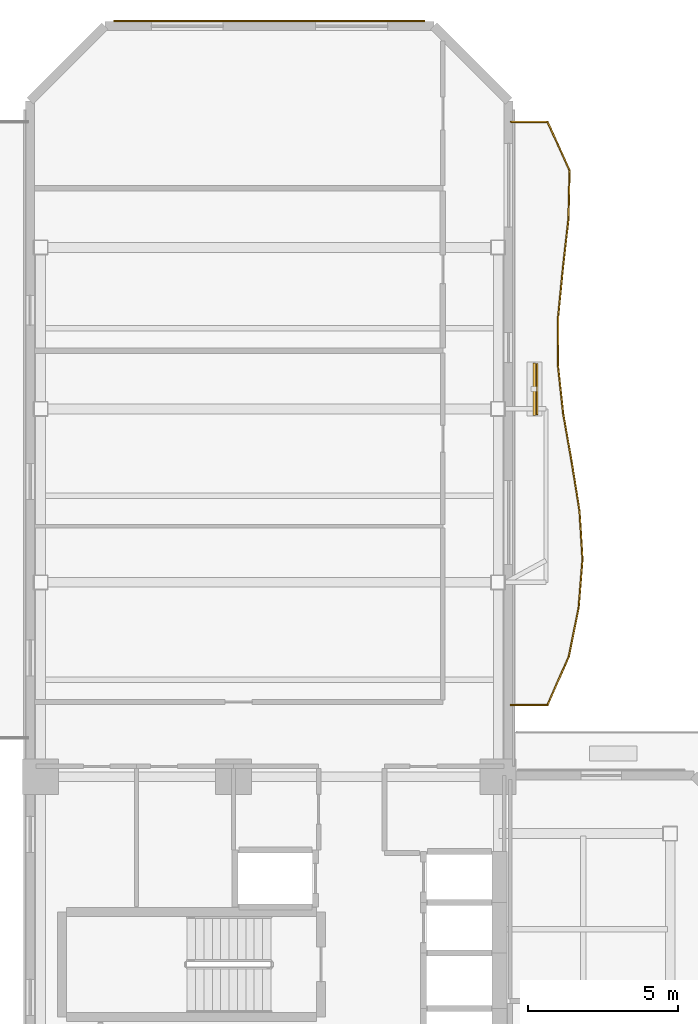
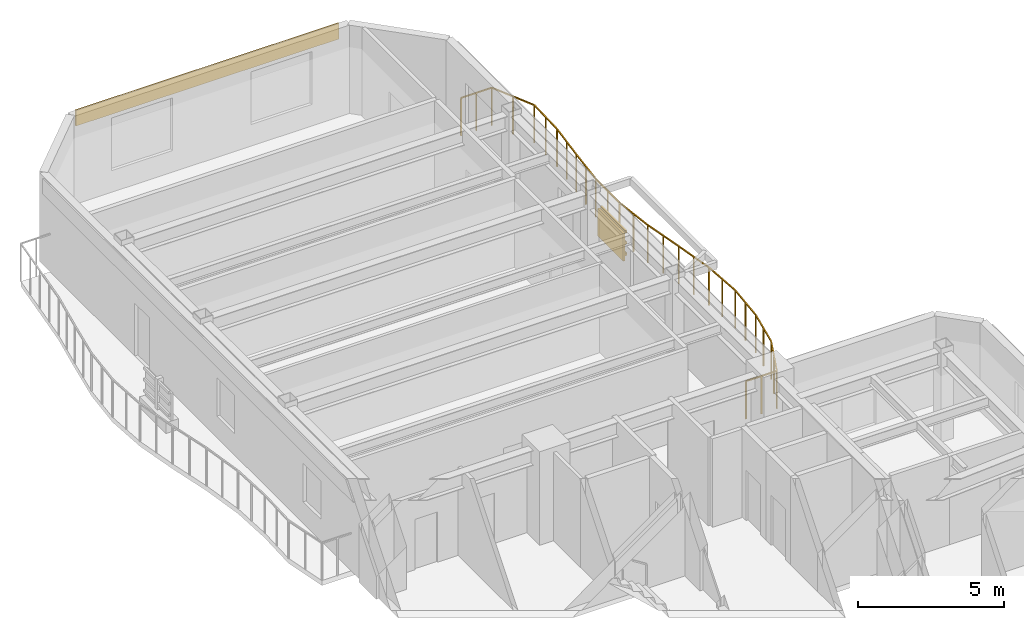
# One storey, part 12 of 12: 4 shading devices, 1 covering, 1 railing.
"""IFC4 building model written with IfcOpenShell, lengths in metres."""

from ifc_helpers import new_model, si_unit, direction, frame, origin, origin_2d, place, context, subcontext, project, spatial, rectangle, extrude, material, layer, layer_set, material_profile, profile_set, type_object, element, save


model = new_model("IFC4")

# Units and contexts
model_context = context("Model", 3, precision=1e-05, world=origin(), true_north=direction((0.0, 1.0)))
body_context = subcontext(model_context, "Body", "Model", "MODEL_VIEW")
ifc_project = project(units=[si_unit("LENGTHUNIT", "METRE"), si_unit("AREAUNIT", "SQUARE_METRE"), si_unit("VOLUMEUNIT", "CUBIC_METRE"), si_unit("PLANEANGLEUNIT", "RADIAN"), si_unit("MASSUNIT", "GRAM", prefix="KILO")], contexts=[model_context])

# Site, building, storey
site_placement = place(None, origin())
site = spatial("IfcSite", under=ifc_project, at=site_placement, CompositionType="ELEMENT")
building_placement = place(site_placement, origin())
building = spatial("IfcBuilding", under=site, at=building_placement, Name="Mawjaban Terraces University", CompositionType="ELEMENT")
storey_placement = place(building_placement, frame((0.0, 0.0, 150.199951171875)))
storey = spatial("IfcBuildingStorey", under=building, at=storey_placement, Name="L36", CompositionType="ELEMENT", Elevation=150.199951171875)

# Railing
ifc_material_1 = material(Name="Galvanised powder-coated steel S355", Category="steel")
railing_type = type_object("IfcRailingType", Name="BalconyBalustrade_1600", PredefinedType="BALUSTRADE", material=ifc_material_1)
railing_placement = place(storey_placement, frame((38.080078125, 25.89990234375, 0.0)))
element("IfcRailing", 1, at=railing_placement, inside=storey, type_object=railing_type, Name="L36 Balcony Guardrail inner_east", PredefinedType="BALUSTRADE", context=body_context, shape_type="SweptSolid", body=[
    extrude(rectangle(XDim=0.048095703125, YDim=0.048095703125, at=origin_2d()), frame((0.0, 0.0, 1.576171875), z_axis=(1.0, 0.0, 0.0), x_axis=(0.0, 1.0, 0.0)), (0.0, 0.0, 1.0), 1.219970703125),
    extrude(rectangle(XDim=0.048095703125, YDim=0.048095703125, at=origin_2d()), frame((1.219970703125, 0.0, 1.576171875), z_axis=(0.40220382361, 0.915550153882, 0.0), x_axis=(-0.915550153882, 0.40220382361, 0.0)), (0.0, 0.0, 1.0), 1.77490234375),
    extrude(rectangle(XDim=0.048095703125, YDim=0.048095703125, at=origin_2d()), frame((1.933837890625, 1.625, 1.576171875), z_axis=(0.197928330605, 0.980216494426, 0.0), x_axis=(-0.980216494426, 0.197928330605, 0.0)), (0.0, 0.0, 1.0), 1.65771484375),
    extrude(rectangle(XDim=0.048095703125, YDim=0.048095703125, at=origin_2d()), frame((2.261962890625, 3.25, 1.576171875), z_axis=(0.078483126756, 0.996915442159, 0.0), x_axis=(-0.996915442159, 0.078483126756, 0.0)), (0.0, 0.0, 1.0), 1.630126953125),
    extrude(rectangle(XDim=0.048095703125, YDim=0.048095703125, at=origin_2d()), frame((2.389892578125, 4.875, 1.576171875), z_axis=(-0.061332633593, 0.998117381903, 0.0), x_axis=(-0.998117381903, -0.061332633593, 0.0)), (0.0, 0.0, 1.0), 1.628173828125),
    extrude(rectangle(XDim=0.048095703125, YDim=0.048095703125, at=origin_2d()), frame((2.2900390625, 6.5, 1.576171875), z_axis=(-0.158719409812, 0.987323730571, 0.0), x_axis=(-0.987323730571, -0.158719409812, 0.0)), (0.0, 0.0, 1.0), 1.645751953125),
    extrude(rectangle(XDim=0.048095703125, YDim=0.048095703125, at=origin_2d()), frame((2.02880859375, 8.125, 1.576171875), z_axis=(-0.17327040175, 0.984874290393, 0.0), x_axis=(-0.984874290393, -0.17327040175, 0.0)), (0.0, 0.0, 1.0), 1.64990234375),
    extrude(rectangle(XDim=0.048095703125, YDim=0.048095703125, at=origin_2d()), frame((1.742919921875, 9.75, 1.576171875), z_axis=(-0.107102732402, 0.99424795937, 0.0), x_axis=(-0.99424795937, -0.107102732402, 0.0)), (0.0, 0.0, 1.0), 1.634521484375),
    extrude(rectangle(XDim=0.048095703125, YDim=0.048095703125, at=origin_2d()), frame((1.56787109375, 11.375, 1.576171875), z_axis=(0.006159738908, 0.999981028628, 0.0), x_axis=(-0.999981028628, 0.006159738908, 0.0)), (0.0, 0.0, 1.0), 1.625),
    extrude(rectangle(XDim=0.048095703125, YDim=0.048095703125, at=origin_2d()), frame((1.577880859375, 13.0, 1.576171875), z_axis=(0.097342006418, 0.995250990347, 0.0), x_axis=(-0.995250990347, 0.097342006418, 0.0)), (0.0, 0.0, 1.0), 1.6328125),
    extrude(rectangle(XDim=0.048095703125, YDim=0.048095703125, at=origin_2d()), frame((1.73681640625, 14.625, 1.576171875), z_axis=(0.112561322723, 0.993644779902, 0.0), x_axis=(-0.993644779902, 0.112561322723, 0.0)), (0.0, 0.0, 1.0), 1.635498046875),
    extrude(rectangle(XDim=0.048095703125, YDim=0.048095703125, at=origin_2d()), frame((1.9208984375, 16.25, 1.576171875), z_axis=(0.022830586077, 0.9997393482, 0.0), x_axis=(-0.9997393482, 0.022830586077, 0.0)), (0.0, 0.0, 1.0), 1.62548828125),
    extrude(rectangle(XDim=0.048095703125, YDim=0.048095703125, at=origin_2d()), frame((1.9580078125, 17.875, 1.576171875), z_axis=(-0.413524654671, 0.910492921433, 0.0), x_axis=(-0.910492921433, -0.413524654671, 0.0)), (0.0, 0.0, 1.0), 1.78466796875),
    extrude(rectangle(XDim=0.048095703125, YDim=0.048095703125, at=origin_2d()), frame((1.219970703125, 19.5, 1.576171875), z_axis=(-1.0, 0.0, 0.0), x_axis=(0.0, -1.0, 0.0)), (0.0, 0.0, 1.0), 1.219970703125),
    extrude(rectangle(XDim=0.0419921875, YDim=0.0419921875, at=origin_2d()), origin(), (0.0, 0.0, 1.0), 1.552001953125),
    extrude(rectangle(XDim=0.0419921875, YDim=0.0419921875, at=origin_2d()), frame((0.60986328125, 0.0, 0.0)), (0.0, 0.0, 1.0), 1.552001953125),
    extrude(rectangle(XDim=0.0419921875, YDim=0.0419921875, at=origin_2d()), frame((1.219970703125, 0.0, 0.0)), (0.0, 0.0, 1.0), 1.552001953125),
    extrude(rectangle(XDim=0.0419921875, YDim=0.0419921875, at=origin_2d()), frame((1.576904296875, 0.8125, 0.0)), (0.0, 0.0, 1.0), 1.552001953125),
    extrude(rectangle(XDim=0.0419921875, YDim=0.0419921875, at=origin_2d()), frame((1.933837890625, 1.625, 0.0)), (0.0, 0.0, 1.0), 1.552001953125),
    extrude(rectangle(XDim=0.0419921875, YDim=0.0419921875, at=origin_2d()), frame((2.097900390625, 2.4375, 0.0)), (0.0, 0.0, 1.0), 1.552001953125),
    extrude(rectangle(XDim=0.0419921875, YDim=0.0419921875, at=origin_2d()), frame((2.261962890625, 3.25, 0.0)), (0.0, 0.0, 1.0), 1.552001953125),
    extrude(rectangle(XDim=0.0419921875, YDim=0.0419921875, at=origin_2d()), frame((2.325927734375, 4.0625, 0.0)), (0.0, 0.0, 1.0), 1.552001953125),
    extrude(rectangle(XDim=0.0419921875, YDim=0.0419921875, at=origin_2d()), frame((2.389892578125, 4.875, 0.0)), (0.0, 0.0, 1.0), 1.552001953125),
    extrude(rectangle(XDim=0.0419921875, YDim=0.0419921875, at=origin_2d()), frame((2.33984375, 5.6875, 0.0)), (0.0, 0.0, 1.0), 1.552001953125),
    extrude(rectangle(XDim=0.0419921875, YDim=0.0419921875, at=origin_2d()), frame((2.2900390625, 6.5, 0.0)), (0.0, 0.0, 1.0), 1.552001953125),
    extrude(rectangle(XDim=0.0419921875, YDim=0.0419921875, at=origin_2d()), frame((2.159423828125, 7.3125, 0.0)), (0.0, 0.0, 1.0), 1.552001953125),
    extrude(rectangle(XDim=0.0419921875, YDim=0.0419921875, at=origin_2d()), frame((2.02880859375, 8.125, 0.0)), (0.0, 0.0, 1.0), 1.552001953125),
    extrude(rectangle(XDim=0.0419921875, YDim=0.0419921875, at=origin_2d()), frame((1.8857421875, 8.9375, 0.0)), (0.0, 0.0, 1.0), 1.552001953125),
    extrude(rectangle(XDim=0.0419921875, YDim=0.0419921875, at=origin_2d()), frame((1.742919921875, 9.75, 0.0)), (0.0, 0.0, 1.0), 1.552001953125),
    extrude(rectangle(XDim=0.0419921875, YDim=0.0419921875, at=origin_2d()), frame((1.6552734375, 10.5625, 0.0)), (0.0, 0.0, 1.0), 1.552001953125),
    extrude(rectangle(XDim=0.0419921875, YDim=0.0419921875, at=origin_2d()), frame((1.56787109375, 11.375, 0.0)), (0.0, 0.0, 1.0), 1.552001953125),
    extrude(rectangle(XDim=0.0419921875, YDim=0.0419921875, at=origin_2d()), frame((1.57275390625, 12.1875, 0.0)), (0.0, 0.0, 1.0), 1.552001953125),
    extrude(rectangle(XDim=0.0419921875, YDim=0.0419921875, at=origin_2d()), frame((1.577880859375, 13.0, 0.0)), (0.0, 0.0, 1.0), 1.552001953125),
    extrude(rectangle(XDim=0.0419921875, YDim=0.0419921875, at=origin_2d()), frame((1.6572265625, 13.8125, 0.0)), (0.0, 0.0, 1.0), 1.552001953125),
    extrude(rectangle(XDim=0.0419921875, YDim=0.0419921875, at=origin_2d()), frame((1.73681640625, 14.625, 0.0)), (0.0, 0.0, 1.0), 1.552001953125),
    extrude(rectangle(XDim=0.0419921875, YDim=0.0419921875, at=origin_2d()), frame((1.828857421875, 15.4375, 0.0)), (0.0, 0.0, 1.0), 1.552001953125),
    extrude(rectangle(XDim=0.0419921875, YDim=0.0419921875, at=origin_2d()), frame((1.9208984375, 16.25, 0.0)), (0.0, 0.0, 1.0), 1.552001953125),
    extrude(rectangle(XDim=0.0419921875, YDim=0.0419921875, at=origin_2d()), frame((1.939453125, 17.0625, 0.0)), (0.0, 0.0, 1.0), 1.552001953125),
    extrude(rectangle(XDim=0.0419921875, YDim=0.0419921875, at=origin_2d()), frame((1.9580078125, 17.875, 0.0)), (0.0, 0.0, 1.0), 1.552001953125),
    extrude(rectangle(XDim=0.0419921875, YDim=0.0419921875, at=origin_2d()), frame((1.5888671875, 18.6875, 0.0)), (0.0, 0.0, 1.0), 1.552001953125),
    extrude(rectangle(XDim=0.0419921875, YDim=0.0419921875, at=origin_2d()), frame((1.219970703125, 19.5, 0.0)), (0.0, 0.0, 1.0), 1.552001953125),
    extrude(rectangle(XDim=0.0419921875, YDim=0.0419921875, at=origin_2d()), frame((0.60986328125, 19.5, 0.0)), (0.0, 0.0, 1.0), 1.552001953125),
    extrude(rectangle(XDim=0.0419921875, YDim=0.0419921875, at=origin_2d()), frame((0.0, 19.5, 0.0)), (0.0, 0.0, 1.0), 1.552001953125),
])

# Shading devices
ifc_material_2 = material(Name="Glazed architectural terracotta ceramic", Category="masonry")
ifc_material_profile = material_profile(ifc_material_2, rectangle(XDim=0.06494140625, YDim=0.110107421875, at=origin_2d()), Name="TBAG110X65")
ifc_profile_set = profile_set([ifc_material_profile], Name="Glazed architectural terracotta ceramic")
shading_device_type_1 = type_object("IfcShadingDeviceType", Name="TerracottaBaguette_110x65", PredefinedType="USERDEFINED", material=ifc_profile_set)
for number, where, z_axis, x_axis, name in (
    (2, (38.947998046875, 35.612060546875, 0.679931640625), (0.0, 1.0, 0.0), (-1.0, 0.0, 0.0), "L36 Horizontal Terracotta Baguette inner_east.1"),
    (3, (38.947998046875, 35.612060546875, 1.150146484375), (0.0, 1.0, 0.0), (-1.0, 0.0, 0.0), "L36 Horizontal Terracotta Baguette inner_east.2"),
    (4, (38.947998046875, 35.612060546875, 1.6201171875), (0.0, 1.0, 0.0), (-1.0, 0.0, 0.0), "L36 Horizontal Terracotta Baguette inner_east.3"),
):
    element("IfcShadingDevice", number, at=place(storey_placement, frame(where, z_axis=z_axis, x_axis=x_axis)), inside=storey, type_object=shading_device_type_1, Name=name, ObjectType="BAGUETTE", PredefinedType="USERDEFINED", context=body_context, shape_type="SweptSolid", body=[
        extrude(rectangle(XDim=0.06494140625, YDim=0.110107421875, at=origin_2d()), origin(), (0.0, 0.0, 1.0), 1.699951171875),
    ])
ifc_layer_1 = layer(ifc_material_2, 0.080078125)
ifc_layer_set_1 = layer_set([ifc_layer_1], Name="Glazed architectural terracotta ceramic")
shading_device_type_2 = type_object("IfcShadingDeviceType", Name="TerracottaScreen_Perforated", PredefinedType="USERDEFINED", material=ifc_layer_set_1)
shading_device_placement = place(storey_placement, frame((38.863037109375, 36.4619140625, 0.440185546875), z_axis=(0.0, 0.0, 1.0), x_axis=(0.0, 1.0, 0.0)))
element("IfcShadingDevice", 5, at=shading_device_placement, inside=storey, type_object=shading_device_type_2, Name="L36 Balcony Perforated Terracotta Screen inner_east", ObjectType="SCREEN", PredefinedType="USERDEFINED", context=body_context, shape_type="SweptSolid", body=[
    extrude(rectangle(XDim=1.75, YDim=0.080078125, at=origin_2d()), origin(), (0.0, 0.0, 1.0), 1.14990234375),
])

# Covering
ifc_material_3 = material(Name="Glazed architectural terracotta rainscreen", Category="masonry")
ifc_layer_2 = layer(ifc_material_3, 0.06005859375)
ifc_layer_set_2 = layer_set([ifc_layer_2], Name="Glazed architectural terracotta rainscreen")
covering_type = type_object("IfcCoveringType", Name="TerracottaSpandrelCladding_60", PredefinedType="CLADDING", material=ifc_layer_set_2)
covering_placement = place(storey_placement, frame((30.0, 48.77490234375, 3.01513671875), z_axis=(0.0, 0.0, 1.0), x_axis=(-1.0, 0.0, 0.0)))
element("IfcCovering", 6, at=covering_placement, inside=storey, type_object=covering_type, Name="L36 Terracotta Spandrel Cladding 11", PredefinedType="CLADDING", context=body_context, shape_type="SweptSolid", body=[
    extrude(rectangle(XDim=10.39990234375, YDim=0.06005859375, at=origin_2d()), origin(), (0.0, 0.0, 1.0), 0.64990234375),
])

save(model, "model.ifc")
